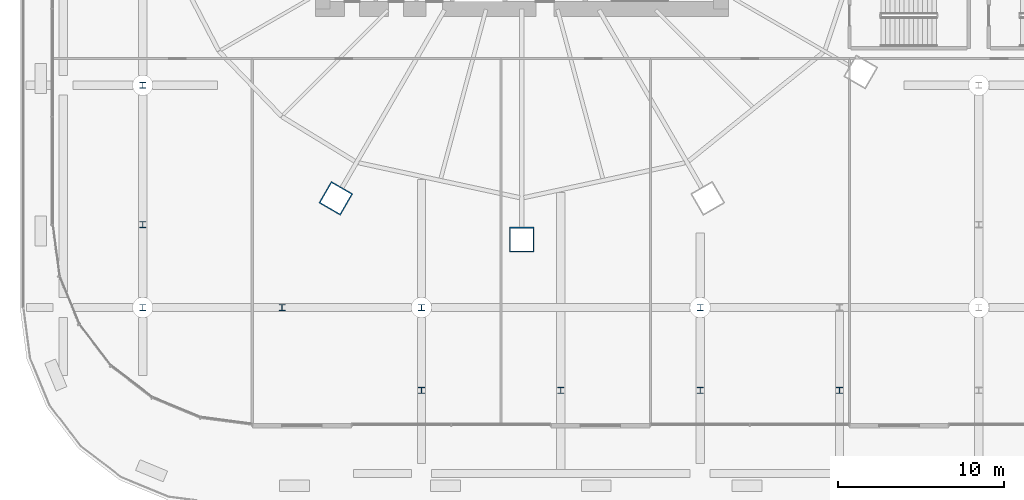
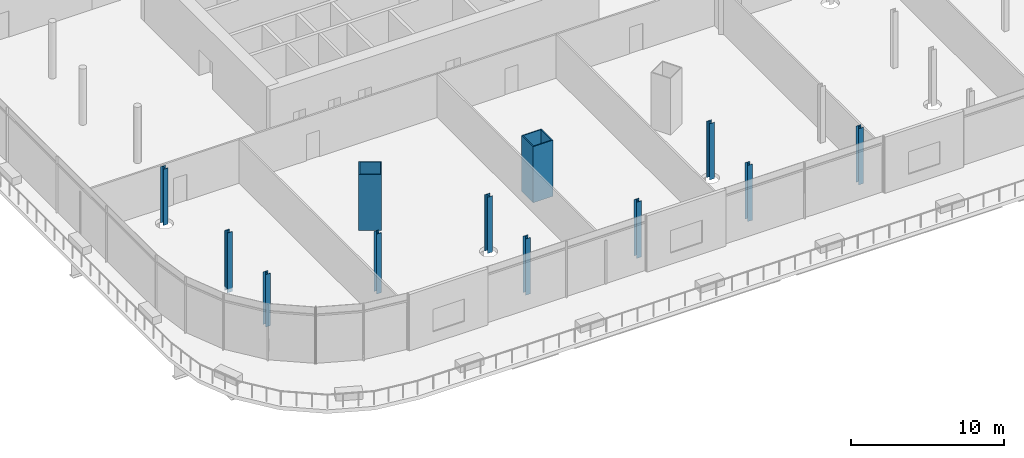
# One storey, part 1 of 56: 12 columns.
"""IFC4 building model written with IfcOpenShell, lengths in metres."""

import ifcopenshell
import ifcopenshell.guid

model = None  # the IFC model being written
_history = None  # IfcOwnerHistory: only IFC2X3 demands one
_inside = {}  # id of a spatial element -> (the spatial element, [elements in it])
_under = {}  # id of a project, library or spatial element -> (it, [spatial elements below it])
_declared = {}  # id of a project -> (the project, [libraries it declares])
_typed = {}  # id of a type object -> (the type object, [elements of that type])
_made_of = {}  # id of a material, layer set ... -> (it, [elements and type objects made of it])


def new_model(schema):
    """Start an empty IFC model of exactly this schema.

    Asked for "IFC4X3", IfcOpenShell would pick the latest addendum, in which some entities
    have other attributes; the version numbers below select the first issue.
    IFC2X3 requires an IfcOwnerHistory on every rooted entity: one is made here for all.
    """
    global model, _history
    if schema == "IFC4X3":
        model = ifcopenshell.file(schema_version=(4, 3, 0, 0))
    else:
        model = ifcopenshell.file(schema=schema)
    _inside.clear()
    _under.clear()
    _declared.clear()
    _typed.clear()
    _made_of.clear()
    _history = None
    if model.schema == "IFC2X3":
        org = make("IfcOrganization", Name="unknown")
        user = make(
            "IfcPersonAndOrganization",
            ThePerson=make("IfcPerson", FamilyName="unknown"),
            TheOrganization=org,
        )
        app = make(
            "IfcApplication",
            ApplicationDeveloper=org,
            Version="unknown",
            ApplicationFullName="unknown",
            ApplicationIdentifier="unknown",
        )
        _history = make(
            "IfcOwnerHistory",
            OwningUser=user,
            OwningApplication=app,
            ChangeAction="ADDED",
            CreationDate=0,
        )
    return model


def make(cls, **values):
    """One entity of the class cls with the attributes given. An attribute that is None is left unset."""
    return model.create_entity(
        cls, **{name: value for name, value in values.items() if value is not None}
    )


def rooted(cls, **values):
    """An entity with a GlobalId (a new one), such as an element, a storey or a relation."""
    return make(cls, GlobalId=ifcopenshell.guid.new(), OwnerHistory=_history, **values)


def si_unit(unit_type, name, prefix=None):
    """IfcSIUnit, for example si_unit("LENGTHUNIT", "METRE", prefix="MILLI")."""
    return make("IfcSIUnit", UnitType=unit_type, Prefix=prefix, Name=name)


def assignment(units):
    """IfcUnitAssignment: the units of a project."""
    return None if units is None else make("IfcUnitAssignment", Units=units)


def point(xyz):
    """IfcCartesianPoint."""
    return None if xyz is None else make("IfcCartesianPoint", Coordinates=xyz)


def direction(xyz):
    """IfcDirection."""
    return None if xyz is None else make("IfcDirection", DirectionRatios=xyz)


def frame(location, z_axis=None, x_axis=None):
    """IfcAxis2Placement3D, a coordinate frame: its origin and axes. An axis left out is left unset."""
    return make(
        "IfcAxis2Placement3D",
        Location=point(location),
        Axis=direction(z_axis),
        RefDirection=direction(x_axis),
    )


def frame_2d(location, x_axis=None):
    """IfcAxis2Placement2D, a coordinate frame in the plane: its origin and x axis."""
    return make(
        "IfcAxis2Placement2D", Location=point(location), RefDirection=direction(x_axis)
    )


def origin():
    """The frame at (0, 0, 0) with its axes left unset."""
    return frame((0.0, 0.0, 0.0))


def origin_2d():
    """The frame at (0, 0) in the plane with its x axis left unset."""
    return frame_2d((0.0, 0.0))


def place(relative_to, where):
    """IfcLocalPlacement: puts the frame where relative to a parent placement (None: the world)."""
    return make(
        "IfcLocalPlacement", PlacementRelTo=relative_to, RelativePlacement=where
    )


def context(
    kind, dimensions, precision=None, world=None, true_north=None, identifier=None
):
    """IfcGeometricRepresentationContext, for example the 3D "Model" context."""
    return make(
        "IfcGeometricRepresentationContext",
        ContextIdentifier=identifier,
        ContextType=kind,
        CoordinateSpaceDimension=dimensions,
        Precision=precision,
        WorldCoordinateSystem=world,
        TrueNorth=true_north,
    )


def subcontext(parent, identifier, kind, view, scale=None):
    """IfcGeometricRepresentationSubContext, for example "Body" below "Model"."""
    return make(
        "IfcGeometricRepresentationSubContext",
        ContextIdentifier=identifier,
        ContextType=kind,
        ParentContext=parent,
        TargetScale=scale,
        TargetView=view,
    )


def project(units=None, contexts=None):
    """IfcProject with its units and contexts."""
    return rooted(
        "IfcProject",
        Name="project",
        RepresentationContexts=contexts,
        UnitsInContext=assignment(units),
    )


def spatial(cls, under=None, at=None, **own):
    """A site, building, storey or space (cls), placed at a placement, below another one or the project."""
    s = rooted(cls, ObjectPlacement=at, **own)
    if under is not None:
        _under.setdefault(under.id(), (under, []))[1].append(s)
    return s


def profile(cls, at=None, kind="AREA", **sizes):
    """A parametric profile (cls). Its sizes go by their IFC names, for example OverallWidth=200.0."""
    return make(cls, ProfileType=kind, Position=at, **sizes)


def hollow_rectangle(**sizes):
    """IfcRectangleHollowProfileDef."""
    return profile("IfcRectangleHollowProfileDef", **sizes)


def i_section(**sizes):
    """IfcIShapeProfileDef."""
    return profile("IfcIShapeProfileDef", **sizes)


def extrude(swept, where, along, depth):
    """IfcExtrudedAreaSolid: the profile swept, set in the frame where, extruded along a direction by depth."""
    return make(
        "IfcExtrudedAreaSolid",
        SweptArea=swept,
        Position=where,
        ExtrudedDirection=direction(along),
        Depth=depth,
    )


def shape(context_of_items, identifier, shape_type, items):
    """IfcShapeRepresentation: the items that make up one representation, for example the "Body"."""
    return make(
        "IfcShapeRepresentation",
        ContextOfItems=context_of_items,
        RepresentationIdentifier=identifier,
        RepresentationType=shape_type,
        Items=items,
    )


def material(Name=None, Category=None):
    """IfcMaterial."""
    return make("IfcMaterial", Name=Name, Category=Category)


def material_profile(
    of_material, cross_section, Name=None, Category=None, Priority=None
):
    """IfcMaterialProfile: a cross section and its material."""
    return make(
        "IfcMaterialProfile",
        Name=Name,
        Material=of_material,
        Profile=cross_section,
        Priority=Priority,
        Category=Category,
    )


def profile_set(profiles, Name=None, composite=None):
    """IfcMaterialProfileSet."""
    return make(
        "IfcMaterialProfileSet",
        Name=Name,
        MaterialProfiles=profiles,
        CompositeProfile=composite,
    )


def made_of(thing, what):
    """Note that an element or type object is made of a material, layer set ...; save() writes the relation."""
    if what is not None:
        _made_of.setdefault(what.id(), (what, []))[1].append(thing)
    return thing


def type_object(cls, material=None, **own):
    """A type object (cls), such as IfcWallType, which elements share."""
    return made_of(rooted(cls, **own), material)


def element(
    cls,
    number,
    at=None,
    inside=None,
    cuts=None,
    type_object=None,
    material=None,
    context=None,
    identifier="Body",
    shape_type=None,
    held_by="IfcProductDefinitionShape",
    body=None,
    shapes=None,
    **own,
):
    """One element of the class cls, such as IfcWall. Its Tag is "e" and its number.

    at: its placement. inside: the storey or other place that contains it. cuts: it is an
    opening in that element (IfcRelVoidsElement). A single representation is given by context,
    identifier, shape_type and body (its items); several are given by shapes. held_by: the class
    of the entity that holds the representations. save() writes the other relations.
    """
    e = rooted(cls, Tag="e%d" % number, ObjectPlacement=at, **own)
    if body is not None:
        shapes = [shape(context, identifier, shape_type, body)]
    if shapes is not None:
        e.Representation = make(held_by, Representations=shapes)
    if inside is not None:
        _inside.setdefault(inside.id(), (inside, []))[1].append(e)
    if cuts is not None:
        rooted(
            "IfcRelVoidsElement", RelatingBuildingElement=cuts, RelatedOpeningElement=e
        )
    if type_object is not None:
        _typed.setdefault(type_object.id(), (type_object, []))[1].append(e)
    return made_of(e, material)


def aggregate(whole, parts):
    """IfcRelAggregates: a whole, such as a stair, and the parts it consists of."""
    return rooted("IfcRelAggregates", RelatingObject=whole, RelatedObjects=parts)


def save(model, path):
    """Write the relations noted so far, then the file.

    IfcRelAggregates (storeys below a building ...), IfcRelContainedInSpatialStructure (elements
    in a storey), IfcRelDefinesByType, IfcRelAssociatesMaterial and IfcRelDeclares: one each for
    every whole, place, type object, material and project.
    """
    for whole, parts in _under.values():
        aggregate(whole, parts)
    for where, things in _inside.values():
        rooted(
            "IfcRelContainedInSpatialStructure",
            RelatedElements=things,
            RelatingStructure=where,
        )
    for kind, things in _typed.values():
        rooted("IfcRelDefinesByType", RelatedObjects=things, RelatingType=kind)
    for what, things in _made_of.values():
        rooted("IfcRelAssociatesMaterial", RelatedObjects=things, RelatingMaterial=what)
    for by, libraries in _declared.values():
        rooted("IfcRelDeclares", RelatingContext=by, RelatedDefinitions=libraries)
    model.write(path)


model = new_model("IFC4")

# Units and contexts
model_context = context("Model", 3, precision=1e-05, world=origin(), true_north=direction((0.0, 1.0)))
body_context = subcontext(model_context, "Body", "Model", "MODEL_VIEW")
ifc_project = project(units=[si_unit("LENGTHUNIT", "METRE"), si_unit("AREAUNIT", "SQUARE_METRE"), si_unit("VOLUMEUNIT", "CUBIC_METRE"), si_unit("PLANEANGLEUNIT", "RADIAN"), si_unit("MASSUNIT", "GRAM", prefix="KILO")], contexts=[model_context])

# Site, building, storey
site_placement = place(None, origin())
site = spatial("IfcSite", under=ifc_project, at=site_placement, CompositionType="ELEMENT")
building_placement = place(site_placement, origin())
building = spatial("IfcBuilding", under=site, at=building_placement, Name="Rimbun Link Towers", CompositionType="ELEMENT")
storey_placement = place(building_placement, frame((0.0, 0.0, 16.5)))
storey = spatial("IfcBuildingStorey", under=building, at=storey_placement, Name="L03", CompositionType="ELEMENT", Elevation=16.5)

# Columns
ifc_material_1 = material(Name="Steel S460N", Category="steel")
ifc_material_profile_1 = material_profile(ifc_material_1, hollow_rectangle(XDim=1.5, YDim=1.5, WallThickness=0.070068359375, at=origin_2d()), Name="BOX 1500x1500x70")
ifc_profile_set_1 = profile_set([ifc_material_profile_1], Name="Steel S460N")
column_type_1 = type_object("IfcColumnType", Name="BOX 1500x1500x70", PredefinedType="COLUMN", material=ifc_profile_set_1)
for number, where, z_axis, x_axis, name in (
    (1, (-42.961181640625, -19.418212890625, 0.0), (0.0, 0.0, 1.0), (-0.5, -0.866025403784, 0.0), "Mega column T1 L03 16"),
    (2, (-31.75, -21.904296875, 0.0), (0.0, 0.0, 1.0), (0.0, -1.0, 0.0), "Mega column T1 L03 18"),
):
    element("IfcColumn", number, at=place(storey_placement, frame(where, z_axis=z_axis, x_axis=x_axis)), inside=storey, type_object=column_type_1, Name=name, PredefinedType="COLUMN", context=body_context, shape_type="SweptSolid", body=[
        extrude(hollow_rectangle(XDim=1.5, YDim=1.5, WallThickness=0.070068359375, at=origin_2d()), origin(), (0.0, 0.0, 1.0), 4.5),
    ])
ifc_material_2 = material(Name="Steel S355J2", Category="steel")
ifc_material_profile_2 = material_profile(ifc_material_2, i_section(OverallWidth=0.37060546875, OverallDepth=0.362060546875, WebThickness=0.01220703125, FlangeThickness=0.020751953125, at=origin_2d()), Name="UC 356x368x153")
ifc_profile_set_2 = profile_set([ifc_material_profile_2], Name="Steel S355J2")
column_type_2 = type_object("IfcColumnType", Name="UC 356x368x153", PredefinedType="COLUMN", material=ifc_profile_set_2)
column_1_placement = place(storey_placement, frame((-54.60009765625, -26.0, 0.0), z_axis=(0.0, 0.0, 1.0), x_axis=(1.0, 0.0, 0.0)))
element("IfcColumn", 3, at=column_1_placement, inside=storey, type_object=column_type_2, Name="Column L03 -54.6 -26.0", PredefinedType="COLUMN", context=body_context, shape_type="SweptSolid", body=[
    extrude(i_section(OverallWidth=0.37060546875, OverallDepth=0.362060546875, WebThickness=0.01220703125, FlangeThickness=0.020751953125, at=origin_2d()), origin(), (0.0, 0.0, 1.0), 4.199951171875),
])
column_2_placement = place(storey_placement, frame((-54.60009765625, -21.0, -0.300048828125), z_axis=(0.0, 0.0, 1.0), x_axis=(1.0, 0.0, 0.0)))
element("IfcColumn", 4, at=column_2_placement, inside=storey, type_object=column_type_2, Name="Column L03 -54.6 -21.0", PredefinedType="COLUMN", context=body_context, shape_type="SweptSolid", body=[
    extrude(i_section(OverallWidth=0.37060546875, OverallDepth=0.362060546875, WebThickness=0.01220703125, FlangeThickness=0.020751953125, at=origin_2d()), origin(), (0.0, 0.0, 1.0), 4.800048828125),
])
column_3_placement = place(storey_placement, frame((-54.60009765625, -12.60009765625, 0.0), z_axis=(0.0, 0.0, 1.0), x_axis=(1.0, 0.0, 0.0)))
element("IfcColumn", 5, at=column_3_placement, inside=storey, type_object=column_type_2, Name="Column L03 -54.6 -12.6", PredefinedType="COLUMN", context=body_context, shape_type="SweptSolid", body=[
    extrude(i_section(OverallWidth=0.37060546875, OverallDepth=0.362060546875, WebThickness=0.01220703125, FlangeThickness=0.020751953125, at=origin_2d()), origin(), (0.0, 0.0, 1.0), 4.5),
])
column_4_placement = place(storey_placement, frame((-46.199951171875, -26.0, -0.300048828125), z_axis=(0.0, 0.0, 1.0), x_axis=(1.0, 0.0, 0.0)))
element("IfcColumn", 6, at=column_4_placement, inside=storey, type_object=column_type_2, Name="Column L03 -46.2 -26.0", PredefinedType="COLUMN", context=body_context, shape_type="SweptSolid", body=[
    extrude(i_section(OverallWidth=0.37060546875, OverallDepth=0.362060546875, WebThickness=0.01220703125, FlangeThickness=0.020751953125, at=origin_2d()), origin(), (0.0, 0.0, 1.0), 4.800048828125),
])
for number, where, z_axis, x_axis, name in (
    (7, (-37.800048828125, -31.0, -0.300048828125), (0.0, 0.0, 1.0), (1.0, 0.0, 0.0), "Column L03 -37.8 -31.0"),
    (8, (-37.800048828125, -26.0, 0.0), (0.0, 0.0, 1.0), (1.0, 0.0, 0.0), "Column L03 -37.8 -26.0"),
    (9, (-29.39990234375, -31.0, -0.300048828125), (0.0, 0.0, 1.0), (1.0, 0.0, 0.0), "Column L03 -29.4 -31.0"),
    (10, (-21.0, -31.0, -0.300048828125), (0.0, 0.0, 1.0), (1.0, 0.0, 0.0), "Column L03 -21.0 -31.0"),
    (11, (-21.0, -26.0, 0.0), (0.0, 0.0, 1.0), (1.0, 0.0, 0.0), "Column L03 -21.0 -26.0"),
    (12, (-12.60009765625, -31.0, -0.300048828125), (0.0, 0.0, 1.0), (1.0, 0.0, 0.0), "Column L03 -12.6 -31.0"),
):
    element("IfcColumn", number, at=place(storey_placement, frame(where, z_axis=z_axis, x_axis=x_axis)), inside=storey, type_object=column_type_2, Name=name, PredefinedType="COLUMN", context=body_context, shape_type="SweptSolid", body=[
        extrude(i_section(OverallWidth=0.37060546875, OverallDepth=0.362060546875, WebThickness=0.01220703125, FlangeThickness=0.020751953125, at=origin_2d()), origin(), (0.0, 0.0, 1.0), 4.5),
    ])

save(model, "model.ifc")
